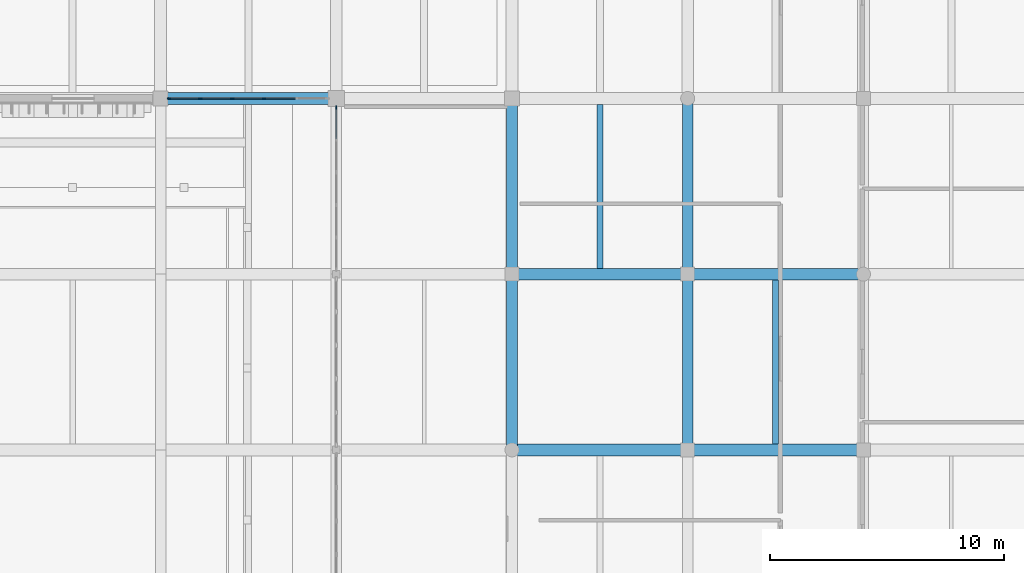
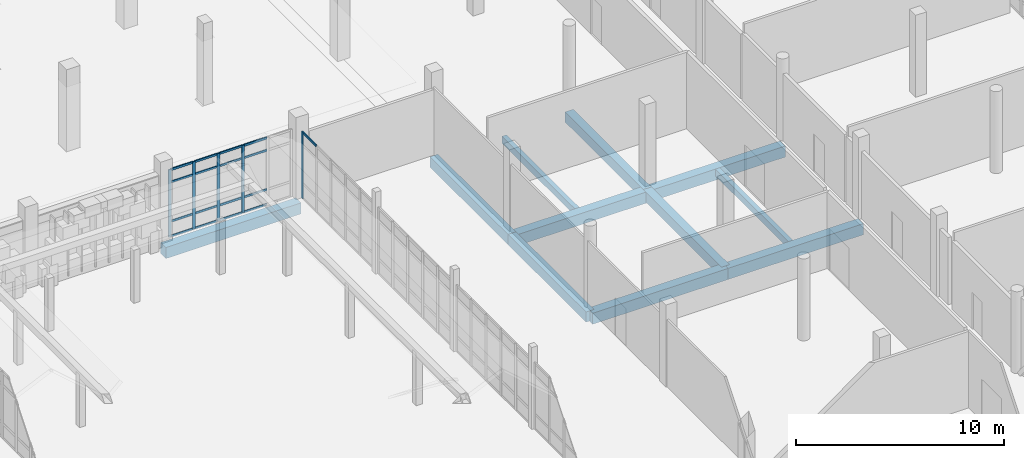
# One storey, part 62 of 125: 22 members, 11 beams, 2 elements without a shape of their own.
"""IFC4 building model written with IfcOpenShell, lengths in metres."""

from ifc_helpers import new_model, si_unit, direction, frame, origin, origin_2d, place, context, subcontext, project, spatial, rectangle, extrude, material, layer, layer_set, material_profile, profile_set, type_object, element, aggregate, save


model = new_model("IFC4")

# Units and contexts
model_context = context("Model", 3, precision=1e-05, world=origin(), true_north=direction((0.0, 1.0)))
body_context = subcontext(model_context, "Body", "Model", "MODEL_VIEW")
ifc_project = project(units=[si_unit("LENGTHUNIT", "METRE"), si_unit("AREAUNIT", "SQUARE_METRE"), si_unit("VOLUMEUNIT", "CUBIC_METRE"), si_unit("PLANEANGLEUNIT", "RADIAN"), si_unit("MASSUNIT", "GRAM", prefix="KILO")], contexts=[model_context])

# Site, building, storey
site_placement = place(None, origin())
site = spatial("IfcSite", under=ifc_project, at=site_placement, CompositionType="ELEMENT")
building_placement = place(site_placement, origin())
building = spatial("IfcBuilding", under=site, at=building_placement, Name="Dalvernix Boulevard General Hospital", CompositionType="ELEMENT")
storey_placement = place(building_placement, origin())
storey = spatial("IfcBuildingStorey", under=building, at=storey_placement, Name="L00", CompositionType="ELEMENT", Elevation=0.0)

# Beams
ifc_material_1 = material(Name="Concrete C35/45", Category="concrete")
ifc_material_profile_1 = material_profile(ifc_material_1, rectangle(XDim=0.5, YDim=0.64990234375, at=origin_2d()), Name="RCB 500x650")
ifc_profile_set_1 = profile_set([ifc_material_profile_1], Name="Concrete C35/45")
beam_type_1 = type_object("IfcBeamType", Name="BM-B-02-I", PredefinedType="BEAM", material=ifc_profile_set_1)
for number, where, z_axis, x_axis, name in (
    (1, (142.5, 61.5, -0.68505859375), (1.0, 0.0, 0.0), (0.0, 1.0, 0.0), "L00 E-W girder J:20-21"),
    (2, (150.0, 61.5, -0.68505859375), (1.0, 0.0, 0.0), (0.0, 1.0, 0.0), "L00 E-W girder J:21-22"),
    (3, (142.5, 69.0, -0.68505859375), (1.0, 0.0, 0.0), (0.0, 1.0, 0.0), "L00 E-W girder K:20-21"),
    (4, (150.0, 69.0, -0.68505859375), (1.0, 0.0, 0.0), (0.0, 1.0, 0.0), "L00 E-W girder K:21-22"),
    (5, (127.5, 76.5, -0.68505859375), (1.0, 0.0, 0.0), (0.0, 1.0, 0.0), "L00 E-W girder L:18-19"),
):
    element("IfcBeam", number, at=place(storey_placement, frame(where, z_axis=z_axis, x_axis=x_axis)), inside=storey, type_object=beam_type_1, Name=name, PredefinedType="BEAM", context=body_context, shape_type="SweptSolid", body=[
        extrude(rectangle(XDim=0.5, YDim=0.64990234375, at=origin_2d()), origin(), (0.0, 0.0, 1.0), 7.5),
    ])
ifc_material_profile_2 = material_profile(ifc_material_1, rectangle(XDim=0.449951171875, YDim=0.60009765625, at=origin_2d()), Name="RCB 450x600")
ifc_profile_set_2 = profile_set([ifc_material_profile_2], Name="Concrete C35/45")
beam_type_2 = type_object("IfcBeamType", Name="BM-B-04-I", PredefinedType="BEAM", material=ifc_profile_set_2)
for number, where, z_axis, x_axis, name in (
    (6, (142.5, 61.5, -0.659912109375), (0.0, 1.0, 0.0), (-1.0, 0.0, 0.0), "L00 N-S girder 20:J-K"),
    (7, (142.5, 69.0, -0.659912109375), (0.0, 1.0, 0.0), (-1.0, 0.0, 0.0), "L00 N-S girder 20:K-L"),
    (8, (150.0, 61.5, -0.659912109375), (0.0, 1.0, 0.0), (-1.0, 0.0, 0.0), "L00 N-S girder 21:J-K"),
    (9, (150.0, 69.0, -0.659912109375), (0.0, 1.0, 0.0), (-1.0, 0.0, 0.0), "L00 N-S girder 21:K-L"),
):
    element("IfcBeam", number, at=place(storey_placement, frame(where, z_axis=z_axis, x_axis=x_axis)), inside=storey, type_object=beam_type_2, Name=name, PredefinedType="BEAM", context=body_context, shape_type="SweptSolid", body=[
        extrude(rectangle(XDim=0.449951171875, YDim=0.60009765625, at=origin_2d()), origin(), (0.0, 0.0, 1.0), 7.5),
    ])
ifc_material_profile_3 = material_profile(ifc_material_1, rectangle(XDim=0.25, YDim=0.39990234375, at=origin_2d()), Name="RCB 250x400")
ifc_profile_set_3 = profile_set([ifc_material_profile_3], Name="Concrete C35/45")
beam_type_3 = type_object("IfcBeamType", Name="BM-JB-02", PredefinedType="JOIST", material=ifc_profile_set_3)
for number, where, z_axis, x_axis, name in (
    (10, (146.25, 69.25, -0.56005859375), (0.0, 1.0, 0.0), (-1.0, 0.0, 0.0), "L00 secondary floor beam 20-K"),
    (11, (153.75, 61.75, -0.56005859375), (0.0, 1.0, 0.0), (-1.0, 0.0, 0.0), "L00 secondary floor beam 21-J"),
):
    element("IfcBeam", number, at=place(storey_placement, frame(where, z_axis=z_axis, x_axis=x_axis)), inside=storey, type_object=beam_type_3, Name=name, PredefinedType="JOIST", context=body_context, shape_type="SweptSolid", body=[
        extrude(rectangle(XDim=0.25, YDim=0.39990234375, at=origin_2d()), origin(), (0.0, 0.0, 1.0), 7.0),
    ])

# Curtain wall, members
ifc_material_2 = material(Name="Thermally broken aluminium and solar-control glass curtain wall", Category="aluminium")
ifc_layer_1 = layer(ifc_material_2, 0.159912109375)
ifc_layer_set_1 = layer_set([ifc_layer_1], Name="Thermally broken aluminium and solar-control glass curtain wall (CW-CW-A-68x40)")
curtain_wall_type_1 = type_object("IfcCurtainWallType", Name="CW-CW-A-68x40", PredefinedType="USERDEFINED", material=ifc_layer_set_1)
curtain_wall_1_placement = place(storey_placement, origin())
curtain_wall_1 = element("IfcCurtainWall", 12, at=curtain_wall_1_placement, inside=storey, type_object=curtain_wall_type_1, Name="L00 curtain wall CW-A-68x40 17-10", ObjectType="GLAZED FACADE", PredefinedType="USERDEFINED")
ifc_material_3 = material(Name="Aluminium EN AW-6060", Category="aluminium")
ifc_material_profile_4 = material_profile(ifc_material_3, rectangle(XDim=0.06005859375, YDim=0.159912109375, at=origin_2d()), Name="ALU MULL 60x160")
ifc_profile_set_4 = profile_set([ifc_material_profile_4], Name="Aluminium EN AW-6060")
member_type_1 = type_object("IfcMemberType", Name="MEM-CW-M1", PredefinedType="MULLION", material=ifc_profile_set_4)
member_1_placement = place(storey_placement, frame((131.91796875, 76.5, 0.0), z_axis=(0.0, 0.0, 1.0), x_axis=(0.0, -1.0, 0.0)))
member_1 = element("IfcMember", 13, at=member_1_placement, type_object=member_type_1, Name="CW-A-68x40 mullion 3", PredefinedType="MULLION", context=body_context, shape_type="SweptSolid", body=[
    extrude(rectangle(XDim=0.06005859375, YDim=0.159912109375, at=origin_2d()), origin(), (0.0, 0.0, 1.0), 3.949951171875),
])
member_2_placement = place(storey_placement, frame((130.556884765625, 76.5, 0.0), z_axis=(0.0, 0.0, 1.0), x_axis=(0.0, -1.0, 0.0)))
member_2 = element("IfcMember", 14, at=member_2_placement, type_object=member_type_1, Name="CW-A-68x40 mullion 4", PredefinedType="MULLION", context=body_context, shape_type="SweptSolid", body=[
    extrude(rectangle(XDim=0.06005859375, YDim=0.159912109375, at=origin_2d()), origin(), (0.0, 0.0, 1.0), 3.949951171875),
])
member_3_placement = place(storey_placement, frame((129.196044921875, 76.5, 0.0), z_axis=(0.0, 0.0, 1.0), x_axis=(0.0, -1.0, 0.0)))
member_3 = element("IfcMember", 15, at=member_3_placement, type_object=member_type_1, Name="CW-A-68x40 mullion 5", PredefinedType="MULLION", context=body_context, shape_type="SweptSolid", body=[
    extrude(rectangle(XDim=0.06005859375, YDim=0.159912109375, at=origin_2d()), origin(), (0.0, 0.0, 1.0), 3.949951171875),
])
member_4_placement = place(storey_placement, frame((127.864990234375, 76.5, 0.0), z_axis=(0.0, 0.0, 1.0), x_axis=(0.0, -1.0, 0.0)))
member_4 = element("IfcMember", 16, at=member_4_placement, type_object=member_type_1, Name="CW-A-68x40 mullion 6", PredefinedType="MULLION", context=body_context, shape_type="SweptSolid", body=[
    extrude(rectangle(XDim=0.06005859375, YDim=0.159912109375, at=origin_2d()), origin(), (0.0, 0.0, 1.0), 3.949951171875),
])

# Curtain wall, member
ifc_layer_2 = layer(ifc_material_2, 0.159912109375)
ifc_layer_set_2 = layer_set([ifc_layer_2], Name="Thermally broken aluminium and solar-control glass curtain wall (CW-CW-A-70x39)")
curtain_wall_type_2 = type_object("IfcCurtainWallType", Name="CW-CW-A-70x39", PredefinedType="USERDEFINED", material=ifc_layer_set_2)
curtain_wall_2_placement = place(storey_placement, origin())
curtain_wall_2 = element("IfcCurtainWall", 17, at=curtain_wall_2_placement, inside=storey, type_object=curtain_wall_type_2, Name="L00 curtain wall CW-A-70x39 18-9", ObjectType="GLAZED FACADE", PredefinedType="USERDEFINED")
member_5_placement = place(storey_placement, frame((135.0, 76.110107421875, 0.0), z_axis=(0.0, 0.0, 1.0), x_axis=(-1.0, 0.0, 0.0)))
member_5 = element("IfcMember", 18, at=member_5_placement, type_object=member_type_1, Name="CW-A-70x39 mullion 6", PredefinedType="MULLION", context=body_context, shape_type="SweptSolid", body=[
    extrude(rectangle(XDim=0.06005859375, YDim=0.159912109375, at=origin_2d()), origin(), (0.0, 0.0, 1.0), 3.89990234375),
])

# Member
ifc_material_profile_5 = material_profile(ifc_material_3, rectangle(XDim=0.06005859375, YDim=0.1201171875, at=origin_2d()), Name="ALU TRAN 60x120")
ifc_profile_set_5 = profile_set([ifc_material_profile_5], Name="Aluminium EN AW-6060")
member_type_2 = type_object("IfcMemberType", Name="MEM-CW-T1", PredefinedType="USERDEFINED", material=ifc_profile_set_5)
member_6_placement = place(storey_placement, frame((133.2490234375, 76.5, 0.030029296875), z_axis=(-1.0, 0.0, 0.0), x_axis=(0.0, -1.0, 0.0)))
member_6 = element("IfcMember", 19, at=member_6_placement, type_object=member_type_2, Name="CW-A-68x40 transom 2.1", ObjectType="TRANSOM", PredefinedType="USERDEFINED", context=body_context, shape_type="SweptSolid", body=[
    extrude(rectangle(XDim=0.06005859375, YDim=0.1201171875, at=origin_2d()), origin(), (0.0, 0.0, 1.0), 1.301025390625),
])

member_7_placement = place(storey_placement, frame((133.2490234375, 76.5, 0.89990234375), z_axis=(-1.0, 0.0, 0.0), x_axis=(0.0, -1.0, 0.0)))
member_7 = element("IfcMember", 20, at=member_7_placement, type_object=member_type_2, Name="CW-A-68x40 transom 2.2", ObjectType="TRANSOM", PredefinedType="USERDEFINED", context=body_context, shape_type="SweptSolid", body=[
    extrude(rectangle(XDim=0.06005859375, YDim=0.1201171875, at=origin_2d()), origin(), (0.0, 0.0, 1.0), 1.301025390625),
])

member_8_placement = place(storey_placement, frame((133.2490234375, 76.5, 3.199951171875), z_axis=(-1.0, 0.0, 0.0), x_axis=(0.0, -1.0, 0.0)))
member_8 = element("IfcMember", 21, at=member_8_placement, type_object=member_type_2, Name="CW-A-68x40 transom 2.3", ObjectType="TRANSOM", PredefinedType="USERDEFINED", context=body_context, shape_type="SweptSolid", body=[
    extrude(rectangle(XDim=0.06005859375, YDim=0.1201171875, at=origin_2d()), origin(), (0.0, 0.0, 1.0), 1.301025390625),
])

member_9_placement = place(storey_placement, frame((133.2490234375, 76.5, 3.919921875), z_axis=(-1.0, 0.0, 0.0), x_axis=(0.0, -1.0, 0.0)))
member_9 = element("IfcMember", 22, at=member_9_placement, type_object=member_type_2, Name="CW-A-68x40 transom 2.4", ObjectType="TRANSOM", PredefinedType="USERDEFINED", context=body_context, shape_type="SweptSolid", body=[
    extrude(rectangle(XDim=0.06005859375, YDim=0.1201171875, at=origin_2d()), origin(), (0.0, 0.0, 1.0), 1.301025390625),
])

member_10_placement = place(storey_placement, frame((131.887939453125, 76.5, 0.030029296875), z_axis=(-1.0, 0.0, 0.0), x_axis=(0.0, -1.0, 0.0)))
member_10 = element("IfcMember", 23, at=member_10_placement, type_object=member_type_2, Name="CW-A-68x40 transom 3.1", ObjectType="TRANSOM", PredefinedType="USERDEFINED", context=body_context, shape_type="SweptSolid", body=[
    extrude(rectangle(XDim=0.06005859375, YDim=0.1201171875, at=origin_2d()), origin(), (0.0, 0.0, 1.0), 1.301025390625),
])

member_11_placement = place(storey_placement, frame((131.887939453125, 76.5, 0.89990234375), z_axis=(-1.0, 0.0, 0.0), x_axis=(0.0, -1.0, 0.0)))
member_11 = element("IfcMember", 24, at=member_11_placement, type_object=member_type_2, Name="CW-A-68x40 transom 3.2", ObjectType="TRANSOM", PredefinedType="USERDEFINED", context=body_context, shape_type="SweptSolid", body=[
    extrude(rectangle(XDim=0.06005859375, YDim=0.1201171875, at=origin_2d()), origin(), (0.0, 0.0, 1.0), 1.301025390625),
])

member_12_placement = place(storey_placement, frame((131.887939453125, 76.5, 3.199951171875), z_axis=(-1.0, 0.0, 0.0), x_axis=(0.0, -1.0, 0.0)))
member_12 = element("IfcMember", 25, at=member_12_placement, type_object=member_type_2, Name="CW-A-68x40 transom 3.3", ObjectType="TRANSOM", PredefinedType="USERDEFINED", context=body_context, shape_type="SweptSolid", body=[
    extrude(rectangle(XDim=0.06005859375, YDim=0.1201171875, at=origin_2d()), origin(), (0.0, 0.0, 1.0), 1.301025390625),
])

member_13_placement = place(storey_placement, frame((131.887939453125, 76.5, 3.919921875), z_axis=(-1.0, 0.0, 0.0), x_axis=(0.0, -1.0, 0.0)))
member_13 = element("IfcMember", 26, at=member_13_placement, type_object=member_type_2, Name="CW-A-68x40 transom 3.4", ObjectType="TRANSOM", PredefinedType="USERDEFINED", context=body_context, shape_type="SweptSolid", body=[
    extrude(rectangle(XDim=0.06005859375, YDim=0.1201171875, at=origin_2d()), origin(), (0.0, 0.0, 1.0), 1.301025390625),
])

member_14_placement = place(storey_placement, frame((130.527099609375, 76.5, 0.030029296875), z_axis=(-1.0, 0.0, 0.0), x_axis=(0.0, -1.0, 0.0)))
member_14 = element("IfcMember", 27, at=member_14_placement, type_object=member_type_2, Name="CW-A-68x40 transom 4.1", ObjectType="TRANSOM", PredefinedType="USERDEFINED", context=body_context, shape_type="SweptSolid", body=[
    extrude(rectangle(XDim=0.06005859375, YDim=0.1201171875, at=origin_2d()), origin(), (0.0, 0.0, 1.0), 1.301025390625),
])

member_15_placement = place(storey_placement, frame((130.527099609375, 76.5, 0.89990234375), z_axis=(-1.0, 0.0, 0.0), x_axis=(0.0, -1.0, 0.0)))
member_15 = element("IfcMember", 28, at=member_15_placement, type_object=member_type_2, Name="CW-A-68x40 transom 4.2", ObjectType="TRANSOM", PredefinedType="USERDEFINED", context=body_context, shape_type="SweptSolid", body=[
    extrude(rectangle(XDim=0.06005859375, YDim=0.1201171875, at=origin_2d()), origin(), (0.0, 0.0, 1.0), 1.301025390625),
])

member_16_placement = place(storey_placement, frame((130.527099609375, 76.5, 3.199951171875), z_axis=(-1.0, 0.0, 0.0), x_axis=(0.0, -1.0, 0.0)))
member_16 = element("IfcMember", 29, at=member_16_placement, type_object=member_type_2, Name="CW-A-68x40 transom 4.3", ObjectType="TRANSOM", PredefinedType="USERDEFINED", context=body_context, shape_type="SweptSolid", body=[
    extrude(rectangle(XDim=0.06005859375, YDim=0.1201171875, at=origin_2d()), origin(), (0.0, 0.0, 1.0), 1.301025390625),
])

member_17_placement = place(storey_placement, frame((130.527099609375, 76.5, 3.919921875), z_axis=(-1.0, 0.0, 0.0), x_axis=(0.0, -1.0, 0.0)))
member_17 = element("IfcMember", 30, at=member_17_placement, type_object=member_type_2, Name="CW-A-68x40 transom 4.4", ObjectType="TRANSOM", PredefinedType="USERDEFINED", context=body_context, shape_type="SweptSolid", body=[
    extrude(rectangle(XDim=0.06005859375, YDim=0.1201171875, at=origin_2d()), origin(), (0.0, 0.0, 1.0), 1.301025390625),
])

member_18_placement = place(storey_placement, frame((129.166015625, 76.5, 0.030029296875), z_axis=(-1.0, 0.0, 0.0), x_axis=(0.0, -1.0, 0.0)))
member_18 = element("IfcMember", 31, at=member_18_placement, type_object=member_type_2, Name="CW-A-68x40 transom 5.1", ObjectType="TRANSOM", PredefinedType="USERDEFINED", context=body_context, shape_type="SweptSolid", body=[
    extrude(rectangle(XDim=0.06005859375, YDim=0.1201171875, at=origin_2d()), origin(), (0.0, 0.0, 1.0), 1.27099609375),
])

member_19_placement = place(storey_placement, frame((129.166015625, 76.5, 0.89990234375), z_axis=(-1.0, 0.0, 0.0), x_axis=(0.0, -1.0, 0.0)))
member_19 = element("IfcMember", 32, at=member_19_placement, type_object=member_type_2, Name="CW-A-68x40 transom 5.2", ObjectType="TRANSOM", PredefinedType="USERDEFINED", context=body_context, shape_type="SweptSolid", body=[
    extrude(rectangle(XDim=0.06005859375, YDim=0.1201171875, at=origin_2d()), origin(), (0.0, 0.0, 1.0), 1.27099609375),
])

member_20_placement = place(storey_placement, frame((129.166015625, 76.5, 3.199951171875), z_axis=(-1.0, 0.0, 0.0), x_axis=(0.0, -1.0, 0.0)))
member_20 = element("IfcMember", 33, at=member_20_placement, type_object=member_type_2, Name="CW-A-68x40 transom 5.3", ObjectType="TRANSOM", PredefinedType="USERDEFINED", context=body_context, shape_type="SweptSolid", body=[
    extrude(rectangle(XDim=0.06005859375, YDim=0.1201171875, at=origin_2d()), origin(), (0.0, 0.0, 1.0), 1.27099609375),
])

member_21_placement = place(storey_placement, frame((129.166015625, 76.5, 3.919921875), z_axis=(-1.0, 0.0, 0.0), x_axis=(0.0, -1.0, 0.0)))
member_21 = element("IfcMember", 34, at=member_21_placement, type_object=member_type_2, Name="CW-A-68x40 transom 5.4", ObjectType="TRANSOM", PredefinedType="USERDEFINED", context=body_context, shape_type="SweptSolid", body=[
    extrude(rectangle(XDim=0.06005859375, YDim=0.1201171875, at=origin_2d()), origin(), (0.0, 0.0, 1.0), 1.27099609375),
])

aggregate(curtain_wall_1, [member_1, member_2, member_3, member_4, member_6, member_7, member_8, member_9, member_10, member_11, member_12, member_13, member_14, member_15, member_16, member_17, member_18, member_19, member_20, member_21])

member_22_placement = place(storey_placement, frame((135.0, 74.77587890625, 3.8701171875), z_axis=(0.0, 1.0, 0.0), x_axis=(-1.0, 0.0, 0.0)))
member_22 = element("IfcMember", 35, at=member_22_placement, type_object=member_type_2, Name="CW-A-70x39 transom 5.4", ObjectType="TRANSOM", PredefinedType="USERDEFINED", context=body_context, shape_type="SweptSolid", body=[
    extrude(rectangle(XDim=0.06005859375, YDim=0.1201171875, at=origin_2d()), origin(), (0.0, 0.0, 1.0), 1.30419921875),
])

aggregate(curtain_wall_2, [member_5, member_22])

save(model, "model.ifc")
